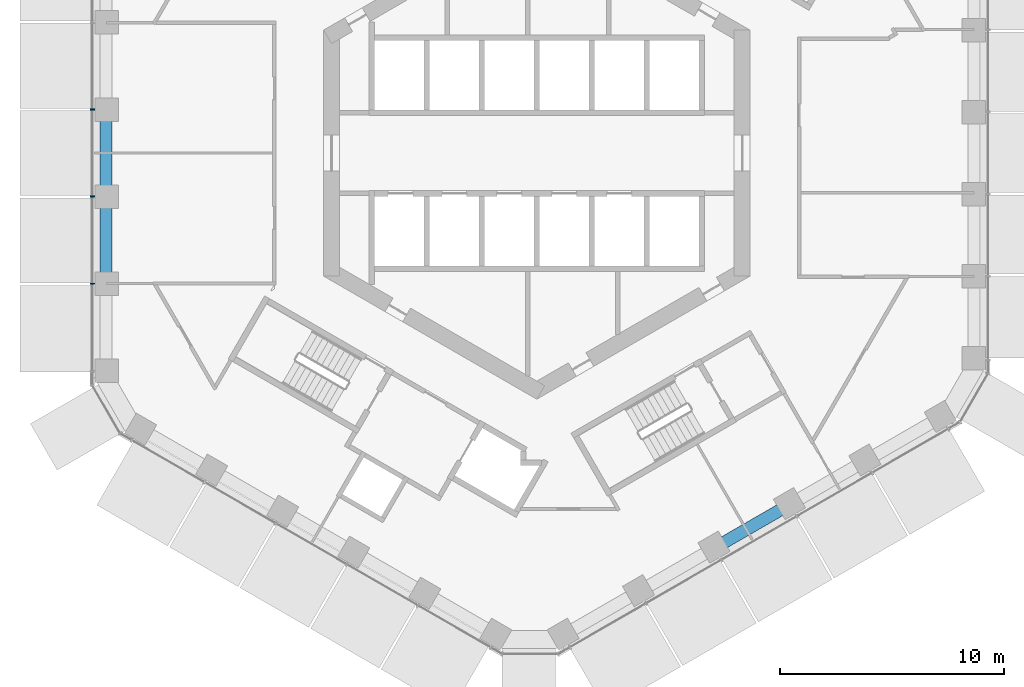
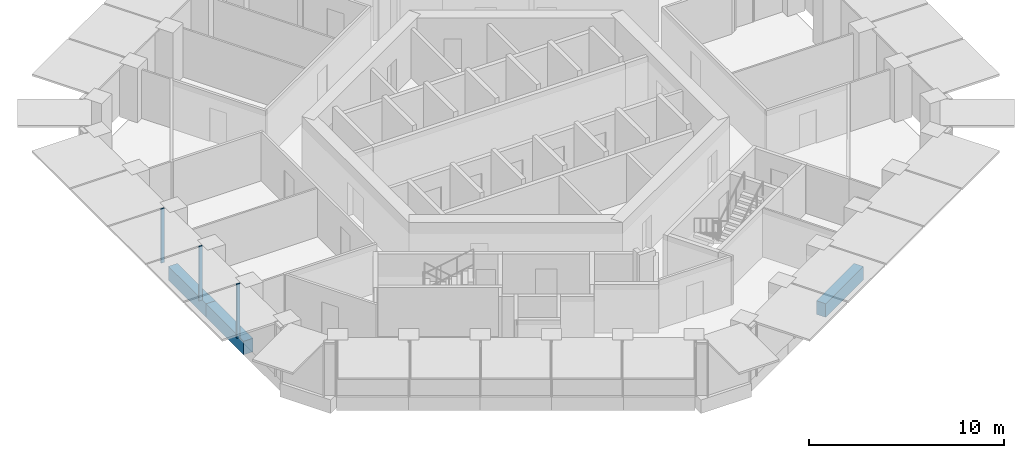
# One storey, part 3 of 19: 3 beams, 3 members, 1 element without a shape of its own.
"""IFC4 building model written with IfcOpenShell, lengths in metres."""

from ifc_helpers import new_model, si_unit, direction, frame, origin, origin_2d, place, context, subcontext, project, spatial, rectangle, extrude, material, layer, layer_set, material_profile, profile_set, type_object, element, aggregate, save


model = new_model("IFC4")

# Units and contexts
model_context = context("Model", 3, precision=1e-05, world=origin(), true_north=direction((0.0, 1.0)))
body_context = subcontext(model_context, "Body", "Model", "MODEL_VIEW")
ifc_project = project(units=[si_unit("LENGTHUNIT", "METRE"), si_unit("AREAUNIT", "SQUARE_METRE"), si_unit("VOLUMEUNIT", "CUBIC_METRE"), si_unit("PLANEANGLEUNIT", "RADIAN"), si_unit("MASSUNIT", "GRAM", prefix="KILO")], contexts=[model_context])

# Site, building, storey
site_placement = place(None, origin())
site = spatial("IfcSite", under=ifc_project, at=site_placement, CompositionType="ELEMENT")
building_placement = place(site_placement, origin())
building = spatial("IfcBuilding", under=site, at=building_placement, Name="Ayvan Gate Tower", CompositionType="ELEMENT")
storey_placement = place(building_placement, frame((0.0, 0.0, 100.10009765625)))
storey = spatial("IfcBuildingStorey", under=building, at=storey_placement, Name="L26", CompositionType="ELEMENT", Elevation=100.10009765625)

# Beams
ifc_material_1 = material(Name="Concrete C40/50", Category="concrete")
ifc_material_profile_1 = material_profile(ifc_material_1, rectangle(XDim=0.550048828125, YDim=0.85009765625, at=origin_2d()), Name="RC 550x850")
ifc_profile_set_1 = profile_set([ifc_material_profile_1], Name="Concrete C40/50")
beam_type = type_object("IfcBeamType", Name="Spandrel beam RC 550x850 C40/50", PredefinedType="BEAM", material=ifc_profile_set_1)
for number, where, z_axis, x_axis, name in (
    (1, (-19.202392578125, 1.936279296875, -0.775146484375), (0.0, -1.0, 0.0), (1.0, 0.0, 0.0), "SB-L26-21"),
    (2, (-19.202392578125, -1.936279296875, -0.775146484375), (0.0, -1.0, 0.0), (1.0, 0.0, 0.0), "SB-L26-22"),
    (3, (7.92431640625, -17.597900390625, -0.775146484375), (0.866027059381, 0.499997132412, 0.0), (-0.499997132412, 0.866027059381, 0.0), "SB-L26-33"),
):
    element("IfcBeam", number, at=place(storey_placement, frame(where, z_axis=z_axis, x_axis=x_axis)), inside=storey, type_object=beam_type, Name=name, PredefinedType="BEAM", context=body_context, shape_type="SweptSolid", body=[
        extrude(rectangle(XDim=0.550048828125, YDim=0.85009765625, at=origin_2d()), origin(), (0.0, 0.0, 1.0), 3.87255859375),
    ])

# Curtain wall, members
ifc_material_2 = material(Name="Bronze anodised aluminium", Category="aluminium")
ifc_layer = layer(ifc_material_2, 0.199951171875)
ifc_layer_set = layer_set([ifc_layer], Name="Bronze anodised aluminium")
curtain_wall_type = type_object("IfcCurtainWallType", Name="Stick curtain wall CW-1", PredefinedType="NOTDEFINED", material=ifc_layer_set)
curtain_wall_placement = place(storey_placement, origin())
curtain_wall = element("IfcCurtainWall", 4, at=curtain_wall_placement, inside=storey, type_object=curtain_wall_type, Name="Stick curtain wall CW-1 L26", PredefinedType="NOTDEFINED")
ifc_material_profile_2 = material_profile(ifc_material_2, rectangle(XDim=0.199951171875, YDim=0.06005859375, at=origin_2d()), Name="Stick curtain wall CW-1 mullion 200 x 60")
ifc_profile_set_2 = profile_set([ifc_material_profile_2], Name="Bronze anodised aluminium")
member_type = type_object("IfcMemberType", Name="Stick curtain wall CW-1 mullion 200 x 60", PredefinedType="MULLION", material=ifc_profile_set_2)
member_1_placement = place(storey_placement, frame((-19.813720703125, 1.941650390625, 0.0), z_axis=(0.0, 0.0, 1.0), x_axis=(-1.0, 0.0, 0.0)))
member_1 = element("IfcMember", 5, at=member_1_placement, type_object=member_type, Name="CW-1 mullion 3", PredefinedType="MULLION", context=body_context, shape_type="SweptSolid", body=[
    extrude(rectangle(XDim=0.199951171875, YDim=0.06005859375, at=origin_2d()), origin(), (0.0, 0.0, 1.0), 3.39990234375),
])
member_2_placement = place(storey_placement, frame((-19.813720703125, -1.94140625, 0.0), z_axis=(0.0, 0.0, 1.0), x_axis=(-1.0, 0.0, 0.0)))
member_2 = element("IfcMember", 6, at=member_2_placement, type_object=member_type, Name="CW-1 mullion 4", PredefinedType="MULLION", context=body_context, shape_type="SweptSolid", body=[
    extrude(rectangle(XDim=0.199951171875, YDim=0.06005859375, at=origin_2d()), origin(), (0.0, 0.0, 1.0), 3.39990234375),
])
member_3_placement = place(storey_placement, frame((-19.813720703125, -5.823486328125, 0.0), z_axis=(0.0, 0.0, 1.0), x_axis=(-1.0, 0.0, 0.0)))
member_3 = element("IfcMember", 7, at=member_3_placement, type_object=member_type, Name="CW-1 mullion 5", PredefinedType="MULLION", context=body_context, shape_type="SweptSolid", body=[
    extrude(rectangle(XDim=0.199951171875, YDim=0.06005859375, at=origin_2d()), origin(), (0.0, 0.0, 1.0), 3.39990234375),
])
aggregate(curtain_wall, [member_1, member_2, member_3])

save(model, "model.ifc")
